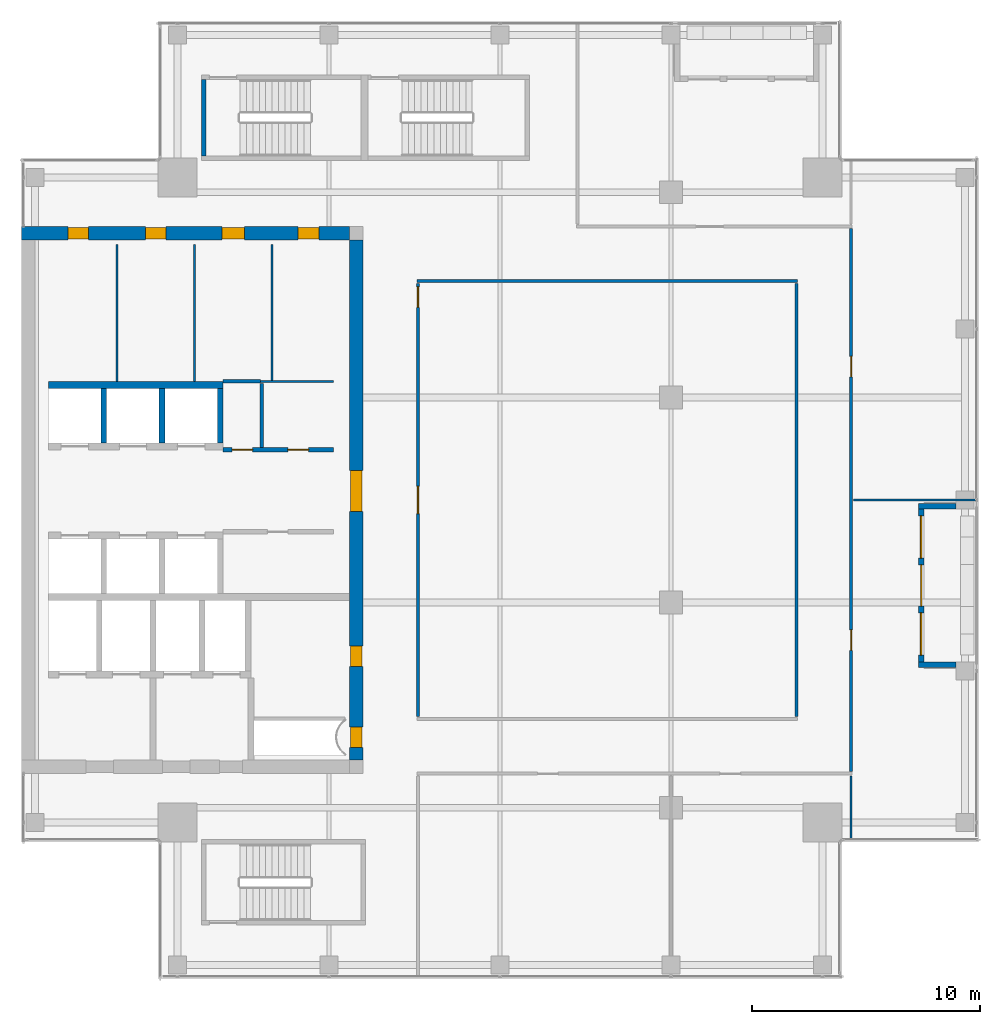
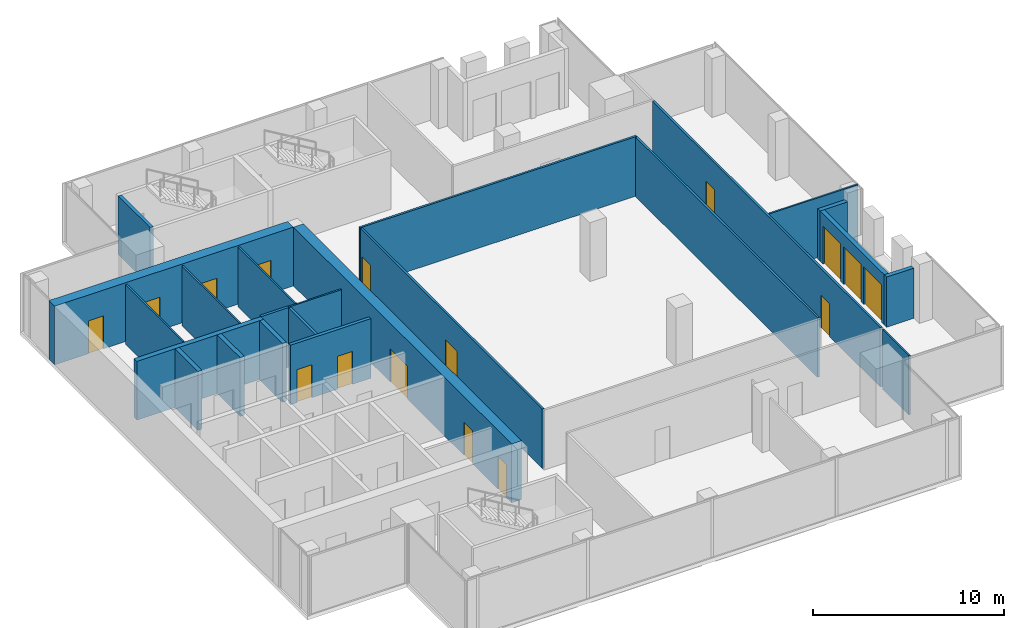
# One storey, part 26 of 29: 23 walls, 14 doors, 2 windows, 16 openings.
"""IFC4 building model written with IfcOpenShell, lengths in metres."""

from ifc_helpers import new_model, si_unit, direction, frame, frame_2d, origin, place, context, subcontext, project, spatial, rectangle, extrude, source, transform, mapped, material, layer, layer_set, type_object, element, fill, save


model = new_model("IFC4")

# Units and contexts
model_context = context("Model", 3, precision=1e-05, world=origin(), true_north=direction((0.0, 1.0)))
body_context = subcontext(model_context, "Body", "Model", "MODEL_VIEW")
ifc_project = project(units=[si_unit("LENGTHUNIT", "METRE"), si_unit("AREAUNIT", "SQUARE_METRE"), si_unit("VOLUMEUNIT", "CUBIC_METRE"), si_unit("PLANEANGLEUNIT", "RADIAN"), si_unit("MASSUNIT", "GRAM", prefix="KILO")], contexts=[model_context])

# Site, building, storey
site_placement = place(None, origin())
site = spatial("IfcSite", under=ifc_project, at=site_placement, CompositionType="ELEMENT")
building_placement = place(site_placement, origin())
building = spatial("IfcBuilding", under=site, at=building_placement, Name="Khomas Fold Tower", CompositionType="ELEMENT")
storey_placement = place(building_placement, frame((0.0, 0.0, 326.199951171875)))
storey = spatial("IfcBuildingStorey", under=building, at=storey_placement, Name="L74", CompositionType="ELEMENT", Elevation=326.199951171875)

# Walls
ifc_material_1 = material(Name="Concrete C50/60", Category="concrete")
ifc_layer_1 = layer(ifc_material_1, 0.199951171875)
ifc_layer_set_1 = layer_set([ifc_layer_1], Name="Concrete C50/60")
wall_type_1 = type_object("IfcWallType", Name="Stair wall 200", PredefinedType="SHEAR", material=ifc_layer_set_1)
shared_shape_1 = source(origin(), body_context, "Body", "SweptSolid", [
    extrude(rectangle(XDim=3.349853515625, YDim=0.199951171875, at=frame_2d((1.6748046875, 0.0))), origin(), (0.0, 0.0, 1.0), 3.75),
])
wall_1_placement = place(storey_placement, frame((14.0, 42.10009765625, 0.0), z_axis=(0.0, 0.0, 1.0), x_axis=(0.0, 1.0, 0.0)))
element("IfcWall", 1, at=wall_1_placement, inside=storey, type_object=wall_type_1, Name="Stair wall SW-ST1-W", PredefinedType="SHEAR", context=body_context, shape_type="MappedRepresentation", body=[
    mapped(shared_shape_1, transform((0.0, 0.0, 0.0))),
])
ifc_material_2 = material(Name="Concrete C50/60", Category="concrete")
ifc_layer_2 = layer(ifc_material_2, 0.25)
ifc_layer_set_2 = layer_set([ifc_layer_2], Name="Concrete C50/60")
wall_type_2 = type_object("IfcWallType", Name="Shaft wall 250", PredefinedType="STANDARD", material=ifc_layer_set_2)
shared_shape_2 = source(origin(), body_context, "Body", "SweptSolid", [
    extrude(rectangle(XDim=2.39990234375, YDim=0.25, at=frame_2d((1.199951171875, 0.0))), origin(), (0.0, 0.0, 1.0), 3.75),
])
for number, where, z_axis, x_axis, name in (
    (2, (9.625, 29.5, 0.0), (0.0, 0.0, 1.0), (0.0, 1.0, 0.0), "Core wall SW-HRN-P1"),
    (3, (12.175048828125, 29.5, 0.0), (0.0, 0.0, 1.0), (0.0, 1.0, 0.0), "Core wall SW-HRN-P2"),
    (4, (14.72509765625, 29.5, 0.0), (0.0, 0.0, 1.0), (0.0, 1.0, 0.0), "Core wall SW-HRN-PE"),
):
    element("IfcWall", number, at=place(storey_placement, frame(where, z_axis=z_axis, x_axis=x_axis)), inside=storey, type_object=wall_type_2, Name=name, PredefinedType="STANDARD", context=body_context, shape_type="MappedRepresentation", body=[
        mapped(shared_shape_2, transform((0.0, 0.0, 0.0))),
    ])

# Wall, openings, doors
ifc_material_3 = material(Name="Concrete C50/60", Category="concrete")
ifc_layer_3 = layer(ifc_material_3, 0.60009765625)
ifc_layer_set_3 = layer_set([ifc_layer_3], Name="Concrete C50/60")
wall_type_3 = type_object("IfcWallType", Name="Core wall 600", PredefinedType="SHEAR", material=ifc_layer_set_3)
shared_shape_3 = source(origin(), body_context, "Body", "SweptSolid", [
    extrude(rectangle(XDim=14.39990234375, YDim=0.60009765625, at=frame_2d((7.199951171875, 0.0))), origin(), (0.0, 0.0, 1.0), 3.75),
])
wall_2_placement = place(storey_placement, frame((6.0, 38.699951171875, 0.0), z_axis=(0.0, 0.0, 1.0), x_axis=(1.0, 0.0, 0.0)))
wall_2 = element("IfcWall", 5, at=wall_2_placement, inside=storey, type_object=wall_type_3, Name="Core wall CW-U-N-L63", PredefinedType="SHEAR", context=body_context, shape_type="MappedRepresentation", body=[
    mapped(shared_shape_3, transform((0.0, 0.0, 0.0))),
])
shared_shape_4 = source(origin(), body_context, "Body", "SweptSolid", [
    extrude(rectangle(XDim=0.89990234375, YDim=2.10009765625, at=frame_2d((0.449951171875, 1.050048828125))), frame((0.0, 0.31005859375, 0.0), z_axis=(0.0, -1.0, 0.0), x_axis=(1.0, 0.0, 0.0)), (0.0, 0.0, 1.0), 0.6201171875),
])
opening_1_placement = place(wall_2_placement, frame((2.050048828125, 0.0, 0.0)))
opening_1 = element("IfcOpeningElement", 6, at=opening_1_placement, cuts=wall_2, Name="Opening 0004", PredefinedType="OPENING", context=body_context, shape_type="MappedRepresentation", body=[
    mapped(shared_shape_4, transform((0.0, 0.0, 0.0))),
])
opening_2_placement = place(wall_2_placement, frame((5.449951171875, 0.0, 0.0)))
opening_2 = element("IfcOpeningElement", 7, at=opening_2_placement, cuts=wall_2, Name="Opening 0004", PredefinedType="OPENING", context=body_context, shape_type="MappedRepresentation", body=[
    mapped(shared_shape_4, transform((0.0, 0.0, 0.0))),
])
shared_shape_5 = source(origin(), body_context, "Body", "SweptSolid", [
    extrude(rectangle(XDim=1.0, YDim=2.10009765625, at=frame_2d((0.5, 1.050048828125))), frame((0.0, 0.31005859375, 0.0), z_axis=(0.0, -1.0, 0.0), x_axis=(1.0, 0.0, 0.0)), (0.0, 0.0, 1.0), 0.6201171875),
])
opening_3_placement = place(wall_2_placement, frame((8.800048828125, 0.0, 0.0)))
opening_3 = element("IfcOpeningElement", 8, at=opening_3_placement, cuts=wall_2, Name="Opening 0006", PredefinedType="OPENING", context=body_context, shape_type="MappedRepresentation", body=[
    mapped(shared_shape_5, transform((0.0, 0.0, 0.0))),
])
opening_4_placement = place(wall_2_placement, frame((12.14990234375, 0.0, 0.0)))
opening_4 = element("IfcOpeningElement", 9, at=opening_4_placement, cuts=wall_2, Name="Opening 0008", PredefinedType="OPENING", context=body_context, shape_type="MappedRepresentation", body=[
    mapped(shared_shape_4, transform((0.0, 0.0, 0.0))),
])
ifc_material_4 = material(Name="Timber door leaf", Category="wood")
door_type_1 = type_object("IfcDoorType", Name="WC door 900x2100 right-hand", OperationType="SINGLE_SWING_RIGHT", PredefinedType="DOOR", material=ifc_material_4)
shared_shape_6 = source(origin(), body_context, "Body", "SweptSolid", [
    extrude(rectangle(XDim=0.89990234375, YDim=2.10009765625, at=frame_2d((0.449951171875, 1.050048828125))), frame((0.0, 0.25, 0.0), z_axis=(0.0, -1.0, 0.0), x_axis=(1.0, 0.0, 0.0)), (0.0, 0.0, 1.0), 0.5),
])
door_1_placement = place(opening_1_placement, origin())
door_1 = element("IfcDoor", 10, at=door_1_placement, inside=storey, type_object=door_type_1, Name="WC door", OperationType="SINGLE_SWING_RIGHT", OverallHeight=2.10009765625, OverallWidth=0.89990234375, PredefinedType="DOOR", context=body_context, shape_type="MappedRepresentation", body=[
    mapped(shared_shape_6, transform((0.0, 0.0, 0.0))),
])
fill(opening_1, door_1)
door_2_placement = place(opening_2_placement, origin())
door_2 = element("IfcDoor", 11, at=door_2_placement, inside=storey, type_object=door_type_1, Name="WC door", OperationType="SINGLE_SWING_RIGHT", OverallHeight=2.10009765625, OverallWidth=0.89990234375, PredefinedType="DOOR", context=body_context, shape_type="MappedRepresentation", body=[
    mapped(shared_shape_6, transform((0.0, 0.0, 0.0))),
])
fill(opening_2, door_2)
ifc_material_5 = material(Name="Timber door leaf", Category="wood")
door_type_2 = type_object("IfcDoorType", Name="Door 900x2100 right-hand", OperationType="SINGLE_SWING_RIGHT", PredefinedType="DOOR", material=ifc_material_5)
door_3_placement = place(opening_4_placement, origin())
door_3 = element("IfcDoor", 12, at=door_3_placement, inside=storey, type_object=door_type_2, Name="Door", OperationType="SINGLE_SWING_RIGHT", OverallHeight=2.10009765625, OverallWidth=0.89990234375, PredefinedType="DOOR", context=body_context, shape_type="MappedRepresentation", body=[
    mapped(shared_shape_6, transform((0.0, 0.0, 0.0))),
])
fill(opening_4, door_3)
ifc_material_6 = material(Name="Timber door leaf", Category="wood")
door_type_3 = type_object("IfcDoorType", Name="WC door 1000x2100 right-hand", OperationType="SINGLE_SWING_RIGHT", PredefinedType="DOOR", material=ifc_material_6)
shared_shape_7 = source(origin(), body_context, "Body", "SweptSolid", [
    extrude(rectangle(XDim=1.0, YDim=2.10009765625, at=frame_2d((0.5, 1.050048828125))), frame((0.0, 0.25, 0.0), z_axis=(0.0, -1.0, 0.0), x_axis=(1.0, 0.0, 0.0)), (0.0, 0.0, 1.0), 0.5),
])
door_4_placement = place(opening_3_placement, origin())
door_4 = element("IfcDoor", 13, at=door_4_placement, inside=storey, type_object=door_type_3, Name="WC door", OperationType="SINGLE_SWING_RIGHT", OverallHeight=2.10009765625, OverallWidth=1.0, PredefinedType="DOOR", context=body_context, shape_type="MappedRepresentation", body=[
    mapped(shared_shape_7, transform((0.0, 0.0, 0.0))),
])
fill(opening_3, door_4)

shared_shape_8 = source(origin(), body_context, "Body", "SweptSolid", [
    extrude(rectangle(XDim=22.7998046875, YDim=0.60009765625, at=frame_2d((11.39990234375, 0.0))), origin(), (0.0, 0.0, 1.0), 3.75),
])
wall_3_placement = place(storey_placement, frame((20.699951171875, 15.60009765625, 0.0), z_axis=(0.0, 0.0, 1.0), x_axis=(0.0, 1.0, 0.0)))
wall_3 = element("IfcWall", 14, at=wall_3_placement, inside=storey, type_object=wall_type_3, Name="Core wall CW-U-E-L63", PredefinedType="SHEAR", context=body_context, shape_type="MappedRepresentation", body=[
    mapped(shared_shape_8, transform((0.0, 0.0, 0.0))),
])
shared_shape_9 = source(origin(), body_context, "Body", "SweptSolid", [
    extrude(rectangle(XDim=1.800048828125, YDim=2.10009765625, at=frame_2d((0.89990234375, 1.050048828125))), frame((0.0, 0.31005859375, 0.0), z_axis=(0.0, -1.0, 0.0), x_axis=(1.0, 0.0, 0.0)), (0.0, 0.0, 1.0), 0.6201171875),
])
opening_5_placement = place(wall_3_placement, frame((10.89990234375, 0.0, 0.0)))
opening_5 = element("IfcOpeningElement", 15, at=opening_5_placement, cuts=wall_3, Name="Opening 0015", PredefinedType="OPENING", context=body_context, shape_type="MappedRepresentation", body=[
    mapped(shared_shape_9, transform((0.0, 0.0, 0.0))),
])
opening_6_placement = place(wall_3_placement, frame((0.550048828125, 0.0, 0.0)))
opening_6 = element("IfcOpeningElement", 16, at=opening_6_placement, cuts=wall_3, Name="Opening 0003", PredefinedType="OPENING", context=body_context, shape_type="MappedRepresentation", body=[
    mapped(shared_shape_4, transform((0.0, 0.0, 0.0))),
])
opening_7_placement = place(wall_3_placement, frame((4.10009765625, 0.0, 0.0)))
opening_7 = element("IfcOpeningElement", 17, at=opening_7_placement, cuts=wall_3, Name="Opening 0008", PredefinedType="OPENING", context=body_context, shape_type="MappedRepresentation", body=[
    mapped(shared_shape_4, transform((0.0, 0.0, 0.0))),
])
ifc_material_7 = material(Name="Steel door leaf", Category="steel")
door_type_4 = type_object("IfcDoorType", Name="Lobby door 1800x2100", OperationType="DOUBLE_DOOR_SINGLE_SWING", PredefinedType="DOOR", material=ifc_material_7)
shared_shape_10 = source(origin(), body_context, "Body", "SweptSolid", [
    extrude(rectangle(XDim=1.800048828125, YDim=2.10009765625, at=frame_2d((0.89990234375, 1.050048828125))), frame((0.0, 0.25, 0.0), z_axis=(0.0, -1.0, 0.0), x_axis=(1.0, 0.0, 0.0)), (0.0, 0.0, 1.0), 0.5),
])
door_5_placement = place(opening_5_placement, origin())
door_5 = element("IfcDoor", 18, at=door_5_placement, inside=storey, type_object=door_type_4, Name="Lobby door", OperationType="DOUBLE_DOOR_SINGLE_SWING", OverallHeight=2.10009765625, OverallWidth=1.800048828125, PredefinedType="DOOR", context=body_context, shape_type="MappedRepresentation", body=[
    mapped(shared_shape_10, transform((0.0, 0.0, 0.0))),
])
fill(opening_5, door_5)
ifc_material_8 = material(Name="Steel door leaf", Category="steel")
door_type_5 = type_object("IfcDoorType", Name="Plant room door 900x2100 right-hand", OperationType="SINGLE_SWING_RIGHT", PredefinedType="DOOR", material=ifc_material_8)
door_6_placement = place(opening_6_placement, origin())
door_6 = element("IfcDoor", 19, at=door_6_placement, inside=storey, type_object=door_type_5, Name="Plant room door", OperationType="SINGLE_SWING_RIGHT", OverallHeight=2.10009765625, OverallWidth=0.89990234375, PredefinedType="DOOR", context=body_context, shape_type="MappedRepresentation", body=[
    mapped(shared_shape_6, transform((0.0, 0.0, 0.0))),
])
fill(opening_6, door_6)
door_7_placement = place(opening_7_placement, origin())
door_7 = element("IfcDoor", 20, at=door_7_placement, inside=storey, type_object=door_type_2, Name="Door", OperationType="SINGLE_SWING_RIGHT", OverallHeight=2.10009765625, OverallWidth=0.89990234375, PredefinedType="DOOR", context=body_context, shape_type="MappedRepresentation", body=[
    mapped(shared_shape_6, transform((0.0, 0.0, 0.0))),
])
fill(opening_7, door_7)

# Wall
ifc_material_9 = material(Name="Concrete C50/60", Category="concrete")
ifc_layer_4 = layer(ifc_material_9, 0.300048828125)
ifc_layer_set_4 = layer_set([ifc_layer_4], Name="Concrete C50/60")
wall_type_4 = type_object("IfcWallType", Name="Shaft wall 300", PredefinedType="STANDARD", material=ifc_layer_set_4)
shared_shape_11 = source(origin(), body_context, "Body", "SweptSolid", [
    extrude(rectangle(XDim=7.650146484375, YDim=0.300048828125, at=frame_2d((3.8251953125, 0.0))), origin(), (0.0, 0.0, 1.0), 3.75),
])
wall_4_placement = place(storey_placement, frame((7.199951171875, 32.050048828125, 0.0), z_axis=(0.0, 0.0, 1.0), x_axis=(1.0, 0.0, 0.0)))
element("IfcWall", 21, at=wall_4_placement, inside=storey, type_object=wall_type_4, Name="Core wall SW-HRN-B", PredefinedType="STANDARD", context=body_context, shape_type="MappedRepresentation", body=[
    mapped(shared_shape_11, transform((0.0, 0.0, 0.0))),
])

# Wall, openings, door, windows
ifc_material_10 = material(Name="Natural stone", Category="masonry")
ifc_layer_5 = layer(ifc_material_10, 0.0400390625)
ifc_material_11 = material(Name="Mineral wool insulation", Category="insulation")
ifc_layer_6 = layer(ifc_material_11, 0.10009765625)
ifc_material_12 = material(Name="Masonry", Category="masonry")
ifc_layer_7 = layer(ifc_material_12, 0.110107421875)
ifc_layer_set_5 = layer_set([ifc_layer_5, ifc_layer_6, ifc_layer_7], Name="Stone-faced insulated masonry")
wall_type_5 = type_object("IfcWallType", Name="BL-Balcony wall", PredefinedType="SOLIDWALL", material=ifc_layer_set_5)
shared_shape_12 = source(origin(), body_context, "Body", "SweptSolid", [
    extrude(rectangle(XDim=6.7001953125, YDim=0.25, at=frame_2d((3.35009765625, 0.0))), origin(), (0.0, 0.0, 1.0), 3.199951171875),
])
wall_5_placement = place(storey_placement, frame((45.47509765625, 19.89990234375, 0.0), z_axis=(0.0, 0.0, 1.0), x_axis=(0.0, 1.0, 0.0)))
wall_5 = element("IfcWall", 22, at=wall_5_placement, inside=storey, type_object=wall_type_5, Name="Balcony wall BAL-L74-E2", PredefinedType="SOLIDWALL", context=body_context, shape_type="MappedRepresentation", body=[
    mapped(shared_shape_12, transform((0.0, 0.0, 0.0))),
])
shared_shape_13 = source(origin(), body_context, "Body", "SweptSolid", [
    extrude(rectangle(XDim=1.85009765625, YDim=2.39990234375, at=frame_2d((0.925048828125, 1.199951171875))), frame((0.0, 0.135009765625, 0.0), z_axis=(0.0, -1.0, 0.0), x_axis=(1.0, 0.0, 0.0)), (0.0, 0.0, 1.0), 0.27001953125),
])
opening_8_placement = place(wall_5_placement, frame((0.300048828125, 0.0, 0.0)))
opening_8 = element("IfcOpeningElement", 23, at=opening_8_placement, cuts=wall_5, Name="Opening BL-W7", PredefinedType="OPENING", context=body_context, shape_type="MappedRepresentation", body=[
    mapped(shared_shape_13, transform((0.0, 0.0, 0.0))),
])
opening_9_placement = place(wall_5_placement, frame((4.550048828125, 0.0, 0.0)))
opening_9 = element("IfcOpeningElement", 24, at=opening_9_placement, cuts=wall_5, Name="Opening BL-W7", PredefinedType="OPENING", context=body_context, shape_type="MappedRepresentation", body=[
    mapped(shared_shape_13, transform((0.0, 0.0, 0.0))),
])
shared_shape_14 = source(origin(), body_context, "Body", "SweptSolid", [
    extrude(rectangle(XDim=1.800048828125, YDim=2.39990234375, at=frame_2d((0.89990234375, 1.199951171875))), frame((0.0, 0.135009765625, 0.0), z_axis=(0.0, -1.0, 0.0), x_axis=(1.0, 0.0, 0.0)), (0.0, 0.0, 1.0), 0.27001953125),
])
opening_10_placement = place(wall_5_placement, frame((2.449951171875, 0.0, 0.0)))
opening_10 = element("IfcOpeningElement", 25, at=opening_10_placement, cuts=wall_5, Name="Opening BD741", PredefinedType="OPENING", context=body_context, shape_type="MappedRepresentation", body=[
    mapped(shared_shape_14, transform((0.0, 0.0, 0.0))),
])
ifc_material_13 = material(Name="Aluminium framed double glazing", Category="aluminium")
door_type_6 = type_object("IfcDoorType", Name="BL-Glazed balcony door 1800 x 2400", OperationType="DOUBLE_DOOR_DOUBLE_SWING", PredefinedType="DOOR", material=ifc_material_13)
shared_shape_15 = source(origin(), body_context, "Body", "SweptSolid", [
    extrude(rectangle(XDim=1.800048828125, YDim=2.39990234375, at=frame_2d((0.89990234375, 1.199951171875))), frame((0.0, 0.02490234375, 0.0), z_axis=(0.0, -1.0, 0.0), x_axis=(1.0, 0.0, 0.0)), (0.0, 0.0, 1.0), 0.050048828125),
])
door_8_placement = place(opening_10_placement, origin())
door_8 = element("IfcDoor", 26, at=door_8_placement, inside=storey, type_object=door_type_6, Name="Balcony door BD741", OperationType="DOUBLE_DOOR_DOUBLE_SWING", OverallHeight=2.39990234375, OverallWidth=1.800048828125, PredefinedType="DOOR", context=body_context, shape_type="MappedRepresentation", body=[
    mapped(shared_shape_15, transform((0.0, 0.0, 0.0))),
])
fill(opening_10, door_8)
ifc_material_14 = material(Name="Aluminium framed double glazing", Category="aluminium")
window_type = type_object("IfcWindowType", Name="BL-Fixed glazing 1850 x 2400", PartitioningType="SINGLE_PANEL", PredefinedType="WINDOW", material=ifc_material_14)
shared_shape_16 = source(origin(), body_context, "Body", "SweptSolid", [
    extrude(rectangle(XDim=1.85009765625, YDim=2.39990234375, at=frame_2d((0.925048828125, 1.199951171875))), frame((0.0, 0.030029296875, 0.0), z_axis=(0.0, -1.0, 0.0), x_axis=(1.0, 0.0, 0.0)), (0.0, 0.0, 1.0), 0.06005859375),
])
window_1_placement = place(opening_8_placement, origin())
window_1 = element("IfcWindow", 27, at=window_1_placement, inside=storey, type_object=window_type, Name="Balcony glazing BAL-L74-E2-1", OverallHeight=2.39990234375, OverallWidth=1.85009765625, PartitioningType="SINGLE_PANEL", PredefinedType="WINDOW", context=body_context, shape_type="MappedRepresentation", body=[
    mapped(shared_shape_16, transform((0.0, 0.0, 0.0))),
])
fill(opening_8, window_1)
window_2_placement = place(opening_9_placement, origin())
window_2 = element("IfcWindow", 28, at=window_2_placement, inside=storey, type_object=window_type, Name="Balcony glazing BAL-L74-E2-2", OverallHeight=2.39990234375, OverallWidth=1.85009765625, PartitioningType="SINGLE_PANEL", PredefinedType="WINDOW", context=body_context, shape_type="MappedRepresentation", body=[
    mapped(shared_shape_16, transform((0.0, 0.0, 0.0))),
])
fill(opening_9, window_2)

# Walls
shared_shape_17 = source(origin(), body_context, "Body", "SweptSolid", [
    extrude(rectangle(XDim=1.64990234375, YDim=0.25, at=frame_2d((0.824951171875, 0.0))), origin(), (0.0, 0.0, 1.0), 3.199951171875),
])
for number, where, z_axis, x_axis, name in (
    (29, (47.0, 19.77490234375, 0.0), (0.0, 0.0, 1.0), (-1.0, 0.0, 0.0), "Balcony return wall BAL-L74-E2-lo"),
    (30, (47.0, 26.72509765625, 0.0), (0.0, 0.0, 1.0), (-1.0, 0.0, 0.0), "Balcony return wall BAL-L74-E2-hi"),
):
    element("IfcWall", number, at=place(storey_placement, frame(where, z_axis=z_axis, x_axis=x_axis)), inside=storey, type_object=wall_type_5, Name=name, PredefinedType="SOLIDWALL", context=body_context, shape_type="MappedRepresentation", body=[
        mapped(shared_shape_17, transform((0.0, 0.0, 0.0))),
    ])
ifc_material_15 = material(Name="Plasterboard partition")
ifc_layer_8 = layer(ifc_material_15, 0.10009765625)
ifc_layer_set_6 = layer_set([ifc_layer_8], Name="Plasterboard partition")
wall_type_6 = type_object("IfcWallType", Name="Partition PW1 100", PredefinedType="PARTITIONING", material=ifc_layer_set_6)
shared_shape_18 = source(origin(), body_context, "Body", "SweptSolid", [
    extrude(rectangle(XDim=6.0, YDim=0.10009765625, at=frame_2d((3.0, 0.0))), origin(), (0.0, 0.0, 1.0), 3.800048828125),
])
for number, where, z_axis, x_axis, name in (
    (31, (10.199951171875, 32.199951171875, 0.0), (0.0, 0.0, 1.0), (0.0, 1.0, 0.0), "Partition"),
    (32, (13.60009765625, 32.199951171875, 0.0), (0.0, 0.0, 1.0), (0.0, 1.0, 0.0), "Partition"),
):
    element("IfcWall", number, at=place(storey_placement, frame(where, z_axis=z_axis, x_axis=x_axis)), inside=storey, type_object=wall_type_6, Name=name, PredefinedType="PARTITIONING", context=body_context, shape_type="MappedRepresentation", body=[
        mapped(shared_shape_18, transform((0.0, 0.0, 0.0))),
    ])

# Wall, openings, doors
ifc_material_16 = material(Name="Plasterboard partition")
ifc_layer_9 = layer(ifc_material_16, 0.125)
ifc_layer_set_7 = layer_set([ifc_layer_9], Name="Plasterboard partition")
wall_type_7 = type_object("IfcWallType", Name="Partition PW2 125", PredefinedType="PARTITIONING", material=ifc_layer_set_7)
shared_shape_19 = source(origin(), body_context, "Body", "SweptSolid", [
    extrude(rectangle(XDim=19.0, YDim=0.125, at=frame_2d((9.5, 0.0))), origin(), (0.0, 0.0, 1.0), 3.800048828125),
])
wall_6_placement = place(storey_placement, frame((23.39990234375, 17.5, 0.0), z_axis=(0.0, 0.0, 1.0), x_axis=(0.0, 1.0, 0.0)))
wall_6 = element("IfcWall", 33, at=wall_6_placement, inside=storey, type_object=wall_type_7, Name="Partition", PredefinedType="PARTITIONING", context=body_context, shape_type="MappedRepresentation", body=[
    mapped(shared_shape_19, transform((0.0, 0.0, 0.0))),
])
shared_shape_20 = source(origin(), body_context, "Body", "SweptSolid", [
    extrude(rectangle(XDim=1.199951171875, YDim=2.10009765625, at=frame_2d((0.60009765625, 1.050048828125))), frame((0.0, 0.072509765625, 0.0), z_axis=(0.0, -1.0, 0.0), x_axis=(1.0, 0.0, 0.0)), (0.0, 0.0, 1.0), 0.14501953125),
])
opening_11_placement = place(wall_6_placement, frame((8.89990234375, 0.0, 0.0)))
opening_11 = element("IfcOpeningElement", 34, at=opening_11_placement, cuts=wall_6, Name="Opening 0013", PredefinedType="OPENING", context=body_context, shape_type="MappedRepresentation", body=[
    mapped(shared_shape_20, transform((0.0, 0.0, 0.0))),
])
shared_shape_21 = source(origin(), body_context, "Body", "SweptSolid", [
    extrude(rectangle(XDim=0.89990234375, YDim=2.10009765625, at=frame_2d((0.449951171875, 1.050048828125))), frame((0.0, 0.072509765625, 0.0), z_axis=(0.0, -1.0, 0.0), x_axis=(1.0, 0.0, 0.0)), (0.0, 0.0, 1.0), 0.14501953125),
])
opening_12_placement = place(wall_6_placement, frame((17.949951171875, 0.0, 0.0)))
opening_12 = element("IfcOpeningElement", 35, at=opening_12_placement, cuts=wall_6, Name="Opening 0008", PredefinedType="OPENING", context=body_context, shape_type="MappedRepresentation", body=[
    mapped(shared_shape_21, transform((0.0, 0.0, 0.0))),
])
shared_shape_22 = source(origin(), body_context, "Body", "SweptSolid", [
    extrude(rectangle(XDim=0.89990234375, YDim=2.10009765625, at=frame_2d((0.449951171875, 1.050048828125))), frame((0.0, 0.02490234375, 0.0), z_axis=(0.0, -1.0, 0.0), x_axis=(1.0, 0.0, 0.0)), (0.0, 0.0, 1.0), 0.050048828125),
])
door_9_placement = place(opening_12_placement, origin())
door_9 = element("IfcDoor", 36, at=door_9_placement, inside=storey, type_object=door_type_2, Name="Door", OperationType="SINGLE_SWING_RIGHT", OverallHeight=2.10009765625, OverallWidth=0.89990234375, PredefinedType="DOOR", context=body_context, shape_type="MappedRepresentation", body=[
    mapped(shared_shape_22, transform((0.0, 0.0, 0.0))),
])
fill(opening_12, door_9)
ifc_material_17 = material(Name="Timber door leaf", Category="wood")
door_type_7 = type_object("IfcDoorType", Name="Door 1200x2100 left-hand", OperationType="SINGLE_SWING_LEFT", PredefinedType="DOOR", material=ifc_material_17)
shared_shape_23 = source(origin(), body_context, "Body", "SweptSolid", [
    extrude(rectangle(XDim=1.199951171875, YDim=2.10009765625, at=frame_2d((0.60009765625, 1.050048828125))), frame((0.0, 0.02490234375, 0.0), z_axis=(0.0, -1.0, 0.0), x_axis=(1.0, 0.0, 0.0)), (0.0, 0.0, 1.0), 0.050048828125),
])
door_10_placement = place(opening_11_placement, origin())
door_10 = element("IfcDoor", 37, at=door_10_placement, inside=storey, type_object=door_type_7, Name="Door", OperationType="SINGLE_SWING_LEFT", OverallHeight=2.10009765625, OverallWidth=1.199951171875, PredefinedType="DOOR", context=body_context, shape_type="MappedRepresentation", body=[
    mapped(shared_shape_23, transform((0.0, 0.0, 0.0))),
])
fill(opening_11, door_10)

# Wall
wall_7_placement = place(storey_placement, frame((40.0, 17.5, 0.0), z_axis=(0.0, 0.0, 1.0), x_axis=(0.0, 1.0, 0.0)))
element("IfcWall", 38, at=wall_7_placement, inside=storey, type_object=wall_type_7, Name="Partition", PredefinedType="PARTITIONING", context=body_context, shape_type="MappedRepresentation", body=[
    mapped(shared_shape_19, transform((0.0, 0.0, 0.0))),
])

# Wall, openings, doors
ifc_material_18 = material(Name="Concrete C30/37", Category="concrete")
ifc_layer_10 = layer(ifc_material_18, 0.199951171875)
ifc_layer_set_8 = layer_set([ifc_layer_10], Name="Concrete C30/37")
wall_type_8 = type_object("IfcWallType", Name="Lobby wall PW4 200", PredefinedType="PARTITIONING", material=ifc_layer_set_8)
shared_shape_24 = source(origin(), body_context, "Body", "SweptSolid", [
    extrude(rectangle(XDim=4.849853515625, YDim=0.199951171875, at=frame_2d((2.4248046875, 0.0))), origin(), (0.0, 0.0, 1.0), 3.800048828125),
])
wall_8_placement = place(storey_placement, frame((14.85009765625, 29.199951171875, 0.0), z_axis=(0.0, 0.0, 1.0), x_axis=(1.0, 0.0, 0.0)))
wall_8 = element("IfcWall", 39, at=wall_8_placement, inside=storey, type_object=wall_type_8, Name="Lobby wall", PredefinedType="PARTITIONING", context=body_context, shape_type="MappedRepresentation", body=[
    mapped(shared_shape_24, transform((0.0, 0.0, 0.0))),
])
shared_shape_25 = source(origin(), body_context, "Body", "SweptSolid", [
    extrude(rectangle(XDim=0.89990234375, YDim=2.10009765625, at=frame_2d((0.449951171875, 1.050048828125))), frame((0.0, 0.10986328125, 0.0), z_axis=(0.0, -1.0, 0.0), x_axis=(1.0, 0.0, 0.0)), (0.0, 0.0, 1.0), 0.219970703125),
])
opening_13_placement = place(wall_8_placement, frame((0.39990234375, 0.0, 0.0)))
opening_13 = element("IfcOpeningElement", 40, at=opening_13_placement, cuts=wall_8, Name="Opening 0003", PredefinedType="OPENING", context=body_context, shape_type="MappedRepresentation", body=[
    mapped(shared_shape_25, transform((0.0, 0.0, 0.0))),
])
opening_14_placement = place(wall_8_placement, frame((2.85009765625, 0.0, 0.0)))
opening_14 = element("IfcOpeningElement", 41, at=opening_14_placement, cuts=wall_8, Name="Opening 0021", PredefinedType="OPENING", context=body_context, shape_type="MappedRepresentation", body=[
    mapped(shared_shape_25, transform((0.0, 0.0, 0.0))),
])
door_11_placement = place(opening_13_placement, origin())
door_11 = element("IfcDoor", 42, at=door_11_placement, inside=storey, type_object=door_type_5, Name="Plant room door", OperationType="SINGLE_SWING_RIGHT", OverallHeight=2.10009765625, OverallWidth=0.89990234375, PredefinedType="DOOR", context=body_context, shape_type="MappedRepresentation", body=[
    mapped(shared_shape_22, transform((0.0, 0.0, 0.0))),
])
fill(opening_13, door_11)
ifc_material_19 = material(Name="Steel door leaf", Category="steel")
door_type_8 = type_object("IfcDoorType", Name="Lobby door 900x2100 left-hand", OperationType="SINGLE_SWING_LEFT", PredefinedType="DOOR", material=ifc_material_19)
door_12_placement = place(opening_14_placement, origin())
door_12 = element("IfcDoor", 43, at=door_12_placement, inside=storey, type_object=door_type_8, Name="Lobby door", OperationType="SINGLE_SWING_LEFT", OverallHeight=2.10009765625, OverallWidth=0.89990234375, PredefinedType="DOOR", context=body_context, shape_type="MappedRepresentation", body=[
    mapped(shared_shape_22, transform((0.0, 0.0, 0.0))),
])
fill(opening_14, door_12)

# Walls
ifc_material_20 = material(Name="Plasterboard fire partition")
ifc_layer_11 = layer(ifc_material_20, 0.14990234375)
ifc_layer_set_9 = layer_set([ifc_layer_11], Name="Plasterboard fire partition")
wall_type_9 = type_object("IfcWallType", Name="Plant room wall PW3 150", PredefinedType="PARTITIONING", material=ifc_layer_set_9)
shared_shape_26 = source(origin(), body_context, "Body", "SweptSolid", [
    extrude(rectangle(XDim=2.800048828125, YDim=0.14990234375, at=frame_2d((1.39990234375, 0.0))), origin(), (0.0, 0.0, 1.0), 3.800048828125),
])
wall_9_placement = place(storey_placement, frame((16.550048828125, 29.300048828125, 0.0), z_axis=(0.0, 0.0, 1.0), x_axis=(0.0, 1.0, 0.0)))
element("IfcWall", 44, at=wall_9_placement, inside=storey, type_object=wall_type_9, Name="Plant room wall", PredefinedType="PARTITIONING", context=body_context, shape_type="MappedRepresentation", body=[
    mapped(shared_shape_26, transform((0.0, 0.0, 0.0))),
])
shared_shape_27 = source(origin(), body_context, "Body", "SweptSolid", [
    extrude(rectangle(XDim=2.75, YDim=0.10009765625, at=frame_2d((1.375, 0.0))), origin(), (0.0, 0.0, 1.0), 3.800048828125),
])
wall_10_placement = place(storey_placement, frame((42.39990234375, 12.14990234375, 0.0), z_axis=(0.0, 0.0, 1.0), x_axis=(0.0, 1.0, 0.0)))
element("IfcWall", 45, at=wall_10_placement, inside=storey, type_object=wall_type_6, Name="Partition", PredefinedType="PARTITIONING", context=body_context, shape_type="MappedRepresentation", body=[
    mapped(shared_shape_27, transform((0.0, 0.0, 0.0))),
])

# Wall, openings, doors
shared_shape_28 = source(origin(), body_context, "Body", "SweptSolid", [
    extrude(rectangle(XDim=23.7998046875, YDim=0.125, at=frame_2d((11.89990234375, 0.0))), origin(), (0.0, 0.0, 1.0), 3.800048828125),
])
wall_11_placement = place(storey_placement, frame((42.39990234375, 15.10009765625, 0.0), z_axis=(0.0, 0.0, 1.0), x_axis=(0.0, 1.0, 0.0)))
wall_11 = element("IfcWall", 46, at=wall_11_placement, inside=storey, type_object=wall_type_7, Name="Partition", PredefinedType="PARTITIONING", context=body_context, shape_type="MappedRepresentation", body=[
    mapped(shared_shape_28, transform((0.0, 0.0, 0.0))),
])
opening_15_placement = place(wall_11_placement, frame((5.300048828125, 0.0, 0.0)))
opening_15 = element("IfcOpeningElement", 47, at=opening_15_placement, cuts=wall_11, Name="Opening 0007", PredefinedType="OPENING", context=body_context, shape_type="MappedRepresentation", body=[
    mapped(shared_shape_21, transform((0.0, 0.0, 0.0))),
])
opening_16_placement = place(wall_11_placement, frame((17.300048828125, 0.0, 0.0)))
opening_16 = element("IfcOpeningElement", 48, at=opening_16_placement, cuts=wall_11, Name="Opening 0007", PredefinedType="OPENING", context=body_context, shape_type="MappedRepresentation", body=[
    mapped(shared_shape_21, transform((0.0, 0.0, 0.0))),
])
ifc_material_21 = material(Name="Timber door leaf", Category="wood")
door_type_9 = type_object("IfcDoorType", Name="Door 900x2100 left-hand", OperationType="SINGLE_SWING_LEFT", PredefinedType="DOOR", material=ifc_material_21)
door_13_placement = place(opening_15_placement, origin())
door_13 = element("IfcDoor", 49, at=door_13_placement, inside=storey, type_object=door_type_9, Name="Door", OperationType="SINGLE_SWING_LEFT", OverallHeight=2.10009765625, OverallWidth=0.89990234375, PredefinedType="DOOR", context=body_context, shape_type="MappedRepresentation", body=[
    mapped(shared_shape_22, transform((0.0, 0.0, 0.0))),
])
fill(opening_15, door_13)
door_14_placement = place(opening_16_placement, origin())
door_14 = element("IfcDoor", 50, at=door_14_placement, inside=storey, type_object=door_type_9, Name="Door", OperationType="SINGLE_SWING_LEFT", OverallHeight=2.10009765625, OverallWidth=0.89990234375, PredefinedType="DOOR", context=body_context, shape_type="MappedRepresentation", body=[
    mapped(shared_shape_22, transform((0.0, 0.0, 0.0))),
])
fill(opening_16, door_14)

# Walls
shared_shape_29 = source(origin(), body_context, "Body", "SweptSolid", [
    extrude(rectangle(XDim=16.699951171875, YDim=0.125, at=frame_2d((8.35009765625, 0.0))), origin(), (0.0, 0.0, 1.0), 3.800048828125),
])
wall_12_placement = place(storey_placement, frame((23.35009765625, 36.60009765625, 0.0), z_axis=(0.0, 0.0, 1.0), x_axis=(1.0, 0.0, 0.0)))
element("IfcWall", 51, at=wall_12_placement, inside=storey, type_object=wall_type_7, Name="Partition", PredefinedType="PARTITIONING", context=body_context, shape_type="MappedRepresentation", body=[
    mapped(shared_shape_29, transform((0.0, 0.0, 0.0))),
])
shared_shape_30 = source(origin(), body_context, "Body", "SweptSolid", [
    extrude(rectangle(XDim=5.35009765625, YDim=0.10009765625, at=frame_2d((2.675048828125, 0.0))), origin(), (0.0, 0.0, 1.0), 3.800048828125),
])
wall_13_placement = place(storey_placement, frame((42.5, 27.0, 0.0), z_axis=(0.0, 0.0, 1.0), x_axis=(1.0, 0.0, 0.0)))
element("IfcWall", 52, at=wall_13_placement, inside=storey, type_object=wall_type_6, Name="Partition", PredefinedType="PARTITIONING", context=body_context, shape_type="MappedRepresentation", body=[
    mapped(shared_shape_30, transform((0.0, 0.0, 0.0))),
])
shared_shape_31 = source(origin(), body_context, "Body", "SweptSolid", [
    extrude(rectangle(XDim=1.64990234375, YDim=0.14990234375, at=frame_2d((0.824951171875, 0.0))), origin(), (0.0, 0.0, 1.0), 3.800048828125),
])
wall_14_placement = place(storey_placement, frame((14.85009765625, 32.199951171875, 0.0), z_axis=(0.0, 0.0, 1.0), x_axis=(1.0, 0.0, 0.0)))
element("IfcWall", 53, at=wall_14_placement, inside=storey, type_object=wall_type_9, Name="Plant room wall", PredefinedType="PARTITIONING", context=body_context, shape_type="MappedRepresentation", body=[
    mapped(shared_shape_31, transform((0.0, 0.0, 0.0))),
])
shared_shape_32 = source(origin(), body_context, "Body", "SweptSolid", [
    extrude(rectangle(XDim=3.199951171875, YDim=0.10009765625, at=frame_2d((1.60009765625, 0.0))), origin(), (0.0, 0.0, 1.0), 3.800048828125),
])
wall_15_placement = place(storey_placement, frame((16.5, 32.199951171875, 0.0), z_axis=(0.0, 0.0, 1.0), x_axis=(1.0, 0.0, 0.0)))
element("IfcWall", 54, at=wall_15_placement, inside=storey, type_object=wall_type_6, Name="Partition", PredefinedType="PARTITIONING", context=body_context, shape_type="MappedRepresentation", body=[
    mapped(shared_shape_32, transform((0.0, 0.0, 0.0))),
])
shared_shape_33 = source(origin(), body_context, "Body", "SweptSolid", [
    extrude(rectangle(XDim=5.949951171875, YDim=0.10009765625, at=frame_2d((2.97509765625, 0.0))), origin(), (0.0, 0.0, 1.0), 3.800048828125),
])
wall_16_placement = place(storey_placement, frame((17.0, 32.25, 0.0), z_axis=(0.0, 0.0, 1.0), x_axis=(0.0, 1.0, 0.0)))
element("IfcWall", 55, at=wall_16_placement, inside=storey, type_object=wall_type_6, Name="Partition", PredefinedType="PARTITIONING", context=body_context, shape_type="MappedRepresentation", body=[
    mapped(shared_shape_33, transform((0.0, 0.0, 0.0))),
])

save(model, "model.ifc")
